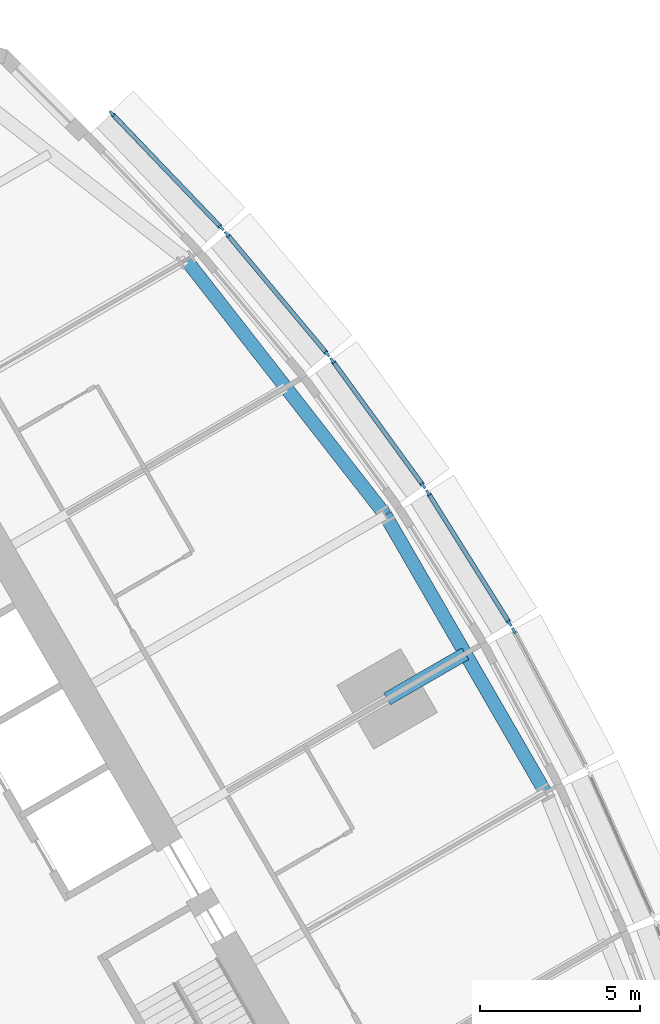
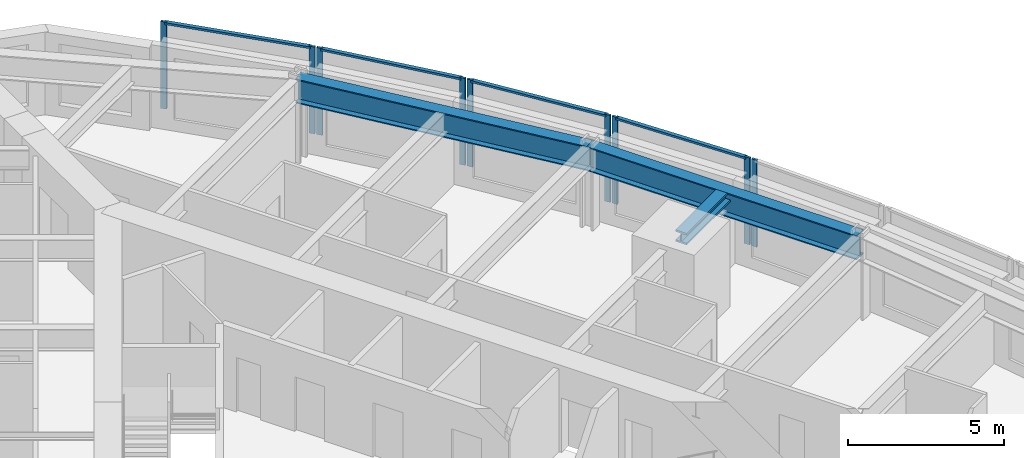
# One storey, part 5 of 14: 13 members, 3 beams, 5 elements without a shape of their own.
"""IFC4 building model written with IfcOpenShell, lengths in metres."""

from ifc_helpers import new_model, si_unit, direction, frame, origin, origin_2d, place, context, subcontext, project, spatial, rectangle, i_section, extrude, material, material_profile, profile_set, type_object, element, aggregate, save


model = new_model("IFC4")

# Units and contexts
model_context = context("Model", 3, precision=1e-05, world=origin(), true_north=direction((0.0, 1.0)))
body_context = subcontext(model_context, "Body", "Model", "MODEL_VIEW")
ifc_project = project(units=[si_unit("LENGTHUNIT", "METRE"), si_unit("AREAUNIT", "SQUARE_METRE"), si_unit("VOLUMEUNIT", "CUBIC_METRE"), si_unit("PLANEANGLEUNIT", "RADIAN"), si_unit("MASSUNIT", "GRAM", prefix="KILO")], contexts=[model_context])

# Site, building, storey
site_placement = place(None, origin())
site = spatial("IfcSite", under=ifc_project, at=site_placement, CompositionType="ELEMENT")
building_placement = place(site_placement, origin())
building = spatial("IfcBuilding", under=site, at=building_placement, Name="Trikona Tower", CompositionType="ELEMENT")
storey_placement = place(building_placement, frame((0.0, 0.0, 179.300048828125)))
storey = spatial("IfcBuildingStorey", under=building, at=storey_placement, Name="L48", CompositionType="ELEMENT", Elevation=179.300048828125)

# Curtain wall, member
ifc_material_1 = material(Name="Aluminium curtain wall system", Category="aluminium")
curtain_wall_type = type_object("IfcCurtainWallType", Name="Curtain wall DS2", PredefinedType="NOTDEFINED", material=ifc_material_1)
curtain_wall_1_placement = place(storey_placement, origin())
curtain_wall_1 = element("IfcCurtainWall", 1, at=curtain_wall_1_placement, inside=storey, type_object=curtain_wall_type, Name="Curtain wall DS2 L48", PredefinedType="NOTDEFINED")
ifc_material_2 = material(Name="Aluminium mullion, pale anodised", Category="aluminium")
ifc_material_profile_1 = material_profile(ifc_material_2, rectangle(XDim=0.080078125, YDim=0.199951171875, at=origin_2d()), Name="MUL-DS2")
ifc_profile_set_1 = profile_set([ifc_material_profile_1], Name="Aluminium mullion, pale anodised")
member_type_1 = type_object("IfcMemberType", Name="Mullion DS2 80x200", PredefinedType="MULLION", material=ifc_profile_set_1)
member_1_placement = place(storey_placement, frame((19.2666015625, 10.9716796875, 0.0), z_axis=(0.0, 0.0, 1.0), x_axis=(-0.882996107343, -0.469380308937, 0.0)))
member_1 = element("IfcMember", 2, at=member_1_placement, type_object=member_type_1, Name="CW-DS2 mullion 2", PredefinedType="MULLION", context=body_context, shape_type="SweptSolid", body=[
    extrude(rectangle(XDim=0.080078125, YDim=0.199951171875, at=origin_2d()), origin(), (0.0, 0.0, 1.0), 3.39990234375),
])
aggregate(curtain_wall_1, [member_1])

# Curtain wall, members
curtain_wall_2_placement = place(storey_placement, origin())
curtain_wall_2 = element("IfcCurtainWall", 3, at=curtain_wall_2_placement, inside=storey, type_object=curtain_wall_type, Name="Curtain wall DS2 L48", PredefinedType="NOTDEFINED")
member_2_placement = place(storey_placement, frame((19.135009765625, 11.199462890625, 0.0), z_axis=(0.0, 0.0, 1.0), x_axis=(-0.847998304006, -0.529998940002, 0.0)))
member_2 = element("IfcMember", 4, at=member_2_placement, type_object=member_type_1, Name="CW-DS2 mullion 1", PredefinedType="MULLION", context=body_context, shape_type="SweptSolid", body=[
    extrude(rectangle(XDim=0.080078125, YDim=0.199951171875, at=origin_2d()), origin(), (0.0, 0.0, 1.0), 3.39990234375),
])
member_3_placement = place(storey_placement, frame((16.589599609375, 15.2724609375, 0.0), z_axis=(0.0, 0.0, 1.0), x_axis=(-0.847998304006, -0.529998940002, 0.0)))
member_3 = element("IfcMember", 5, at=member_3_placement, type_object=member_type_1, Name="CW-DS2 mullion 2", PredefinedType="MULLION", context=body_context, shape_type="SweptSolid", body=[
    extrude(rectangle(XDim=0.080078125, YDim=0.199951171875, at=origin_2d()), origin(), (0.0, 0.0, 1.0), 3.39990234375),
])

curtain_wall_3_placement = place(storey_placement, origin())
curtain_wall_3 = element("IfcCurtainWall", 6, at=curtain_wall_3_placement, inside=storey, type_object=curtain_wall_type, Name="Curtain wall DS2 L48", PredefinedType="NOTDEFINED")
member_4_placement = place(storey_placement, frame((16.442626953125, 15.489990234375, 0.0), z_axis=(0.0, 0.0, 1.0), x_axis=(-0.80908576332, -0.587690588313, 0.0)))
member_4 = element("IfcMember", 7, at=member_4_placement, type_object=member_type_1, Name="CW-DS2 mullion 1", PredefinedType="MULLION", context=body_context, shape_type="SweptSolid", body=[
    extrude(rectangle(XDim=0.080078125, YDim=0.199951171875, at=origin_2d()), origin(), (0.0, 0.0, 1.0), 3.39990234375),
])
member_5_placement = place(storey_placement, frame((13.605712890625, 19.39599609375, 0.0), z_axis=(0.0, 0.0, 1.0), x_axis=(-0.80908576332, -0.587690588313, 0.0)))
member_5 = element("IfcMember", 8, at=member_5_placement, type_object=member_type_1, Name="CW-DS2 mullion 2", PredefinedType="MULLION", context=body_context, shape_type="SweptSolid", body=[
    extrude(rectangle(XDim=0.080078125, YDim=0.199951171875, at=origin_2d()), origin(), (0.0, 0.0, 1.0), 3.39990234375),
])

curtain_wall_4_placement = place(storey_placement, origin())
curtain_wall_4 = element("IfcCurtainWall", 9, at=curtain_wall_4_placement, inside=storey, type_object=curtain_wall_type, Name="Curtain wall DS2 L48", PredefinedType="NOTDEFINED")
member_6_placement = place(storey_placement, frame((13.44482421875, 19.602294921875, 0.0), z_axis=(0.0, 0.0, 1.0), x_axis=(-0.766866678271, -0.641806433248, 0.0)))
member_6 = element("IfcMember", 10, at=member_6_placement, type_object=member_type_1, Name="CW-DS2 mullion 1", PredefinedType="MULLION", context=body_context, shape_type="SweptSolid", body=[
    extrude(rectangle(XDim=0.080078125, YDim=0.199951171875, at=origin_2d()), origin(), (0.0, 0.0, 1.0), 3.39990234375),
])
member_7_placement = place(storey_placement, frame((10.315185546875, 23.34130859375, 0.0), z_axis=(0.0, 0.0, 1.0), x_axis=(-0.766866678271, -0.641806433248, 0.0)))
member_7 = element("IfcMember", 11, at=member_7_placement, type_object=member_type_1, Name="CW-DS2 mullion 2", PredefinedType="MULLION", context=body_context, shape_type="SweptSolid", body=[
    extrude(rectangle(XDim=0.080078125, YDim=0.199951171875, at=origin_2d()), origin(), (0.0, 0.0, 1.0), 3.39990234375),
])

curtain_wall_5_placement = place(storey_placement, origin())
curtain_wall_5 = element("IfcCurtainWall", 12, at=curtain_wall_5_placement, inside=storey, type_object=curtain_wall_type, Name="Curtain wall DS2 L48", PredefinedType="NOTDEFINED")
member_8_placement = place(storey_placement, frame((10.1416015625, 23.535400390625, 0.0), z_axis=(0.0, 0.0, 1.0), x_axis=(-0.722158330767, -0.691727797117, 0.0)))
member_8 = element("IfcMember", 13, at=member_8_placement, type_object=member_type_1, Name="CW-DS2 mullion 1", PredefinedType="MULLION", context=body_context, shape_type="SweptSolid", body=[
    extrude(rectangle(XDim=0.080078125, YDim=0.199951171875, at=origin_2d()), origin(), (0.0, 0.0, 1.0), 3.39990234375),
])
member_9_placement = place(storey_placement, frame((6.718994140625, 27.1083984375, 0.0), z_axis=(0.0, 0.0, 1.0), x_axis=(-0.722158330767, -0.691727797117, 0.0)))
member_9 = element("IfcMember", 14, at=member_9_placement, type_object=member_type_1, Name="CW-DS2 mullion 2", PredefinedType="MULLION", context=body_context, shape_type="SweptSolid", body=[
    extrude(rectangle(XDim=0.080078125, YDim=0.199951171875, at=origin_2d()), origin(), (0.0, 0.0, 1.0), 3.39990234375),
])

# Beams
ifc_material_3 = material(Name="Steel ASTM A992 Grade 50", Category="steel")
ifc_material_profile_2 = material_profile(ifc_material_3, i_section(OverallWidth=0.419189453125, OverallDepth=0.45458984375, WebThickness=0.042236328125, FlangeThickness=0.067626953125, at=origin_2d()), Name="W14X370")
ifc_profile_set_2 = profile_set([ifc_material_profile_2], Name="Steel ASTM A992 Grade 50")
beam_type_1 = type_object("IfcBeamType", Name="Steel beam W14x370 (apex bracket)", PredefinedType="BEAM", material=ifc_profile_set_2)
beam_1_placement = place(storey_placement, frame((15.311767578125, 8.84033203125, 3.007568359375), z_axis=(0.86605005072, 0.499957307824, 0.0), x_axis=(-0.499957307824, 0.86605005072, 0.0)))
element("IfcBeam", 15, at=beam_1_placement, inside=storey, type_object=beam_type_1, Name="Cantilever bracket L49 F2", PredefinedType="BEAM", context=body_context, shape_type="SweptSolid", body=[
    extrude(i_section(OverallWidth=0.419189453125, OverallDepth=0.45458984375, WebThickness=0.042236328125, FlangeThickness=0.067626953125, at=origin_2d()), origin(), (0.0, 0.0, 1.0), 2.819580078125),
])
ifc_material_4 = material(Name="Steel ASTM A992 Grade 50", Category="steel")
ifc_material_profile_3 = material_profile(ifc_material_4, i_section(OverallWidth=0.424072265625, OverallDepth=0.947509765625, WebThickness=0.02392578125, FlangeThickness=0.042724609375, at=origin_2d()), Name="W36X302")
ifc_profile_set_3 = profile_set([ifc_material_profile_3], Name="Steel ASTM A992 Grade 50")
beam_type_2 = type_object("IfcBeamType", Name="Steel beam W36x302 (spandrel)", PredefinedType="SPANDREL", material=ifc_profile_set_3)
beam_2_placement = place(storey_placement, frame((20.253662109375, 5.919921875, 2.76123046875), z_axis=(-0.500004234368, 0.866022959057, 0.0), x_axis=(-0.866022959057, -0.500004234368, 0.0)))
element("IfcBeam", 16, at=beam_2_placement, inside=storey, type_object=beam_type_2, Name="Spandrel beam L49 F2-3", PredefinedType="SPANDREL", context=body_context, shape_type="SweptSolid", body=[
    extrude(i_section(OverallWidth=0.424072265625, OverallDepth=0.947509765625, WebThickness=0.02392578125, FlangeThickness=0.042724609375, at=origin_2d()), origin(), (0.0, 0.0, 1.0), 10.0),
])
beam_3_placement = place(storey_placement, frame((15.253662109375, 14.580078125, 2.76123046875), z_axis=(-0.615232009054, 0.788346101046, 0.0), x_axis=(-0.788346101046, -0.615232009054, 0.0)))
element("IfcBeam", 17, at=beam_3_placement, inside=storey, type_object=beam_type_2, Name="Spandrel beam L49 F2-4", PredefinedType="SPANDREL", context=body_context, shape_type="SweptSolid", body=[
    extrude(i_section(OverallWidth=0.424072265625, OverallDepth=0.947509765625, WebThickness=0.02392578125, FlangeThickness=0.042724609375, at=origin_2d()), origin(), (0.0, 0.0, 1.0), 10.09765625),
])

# Member
ifc_material_5 = material(Name="Aluminium transom, pale anodised", Category="aluminium")
ifc_material_profile_4 = material_profile(ifc_material_5, rectangle(XDim=0.139892578125, YDim=0.080078125, at=origin_2d()), Name="TRN-DS2")
ifc_profile_set_4 = profile_set([ifc_material_profile_4], Name="Aluminium transom, pale anodised")
member_type_2 = type_object("IfcMemberType", Name="Transom DS2 80x140", PredefinedType="USERDEFINED", material=ifc_profile_set_4)
member_10_placement = place(storey_placement, frame((19.114013671875, 11.2333984375, 3.35986328125), z_axis=(-0.530031463794, 0.847977975769, 0.0), x_axis=(-0.847977975769, -0.530031463794, 0.0)))
member_10 = element("IfcMember", 18, at=member_10_placement, type_object=member_type_2, Name="CW-DS2 transom 1.1", ObjectType="TRANSOM", PredefinedType="USERDEFINED", context=body_context, shape_type="SweptSolid", body=[
    extrude(rectangle(XDim=0.139892578125, YDim=0.080078125, at=origin_2d()), origin(), (0.0, 0.0, 1.0), 4.72314453125),
])

aggregate(curtain_wall_2, [member_2, member_3, member_10])

member_11_placement = place(storey_placement, frame((16.419189453125, 15.5224609375, 3.35986328125), z_axis=(-0.587694585883, 0.809082859616, 0.0), x_axis=(-0.809082859616, -0.587694585883, 0.0)))
member_11 = element("IfcMember", 19, at=member_11_placement, type_object=member_type_2, Name="CW-DS2 transom 1.1", ObjectType="TRANSOM", PredefinedType="USERDEFINED", context=body_context, shape_type="SweptSolid", body=[
    extrude(rectangle(XDim=0.139892578125, YDim=0.080078125, at=origin_2d()), origin(), (0.0, 0.0, 1.0), 4.747314453125),
])

aggregate(curtain_wall_3, [member_4, member_5, member_11])

member_12_placement = place(storey_placement, frame((13.4189453125, 19.6328125, 3.35986328125), z_axis=(-0.641770294892, 0.766896921753, 0.0), x_axis=(-0.766896921753, -0.641770294892, 0.0)))
member_12 = element("IfcMember", 20, at=member_12_placement, type_object=member_type_2, Name="CW-DS2 transom 1.1", ObjectType="TRANSOM", PredefinedType="USERDEFINED", context=body_context, shape_type="SweptSolid", body=[
    extrude(rectangle(XDim=0.139892578125, YDim=0.080078125, at=origin_2d()), origin(), (0.0, 0.0, 1.0), 4.7958984375),
])

aggregate(curtain_wall_4, [member_6, member_7, member_12])

member_13_placement = place(storey_placement, frame((10.114013671875, 23.564208984375, 3.35986328125), z_axis=(-0.691721246785, 0.722164605022, 0.0), x_axis=(-0.722164605022, -0.691721246785, 0.0)))
member_13 = element("IfcMember", 21, at=member_13_placement, type_object=member_type_2, Name="CW-DS2 transom 1.1", ObjectType="TRANSOM", PredefinedType="USERDEFINED", context=body_context, shape_type="SweptSolid", body=[
    extrude(rectangle(XDim=0.139892578125, YDim=0.080078125, at=origin_2d()), origin(), (0.0, 0.0, 1.0), 4.867919921875),
])

aggregate(curtain_wall_5, [member_8, member_9, member_13])

save(model, "model.ifc")
